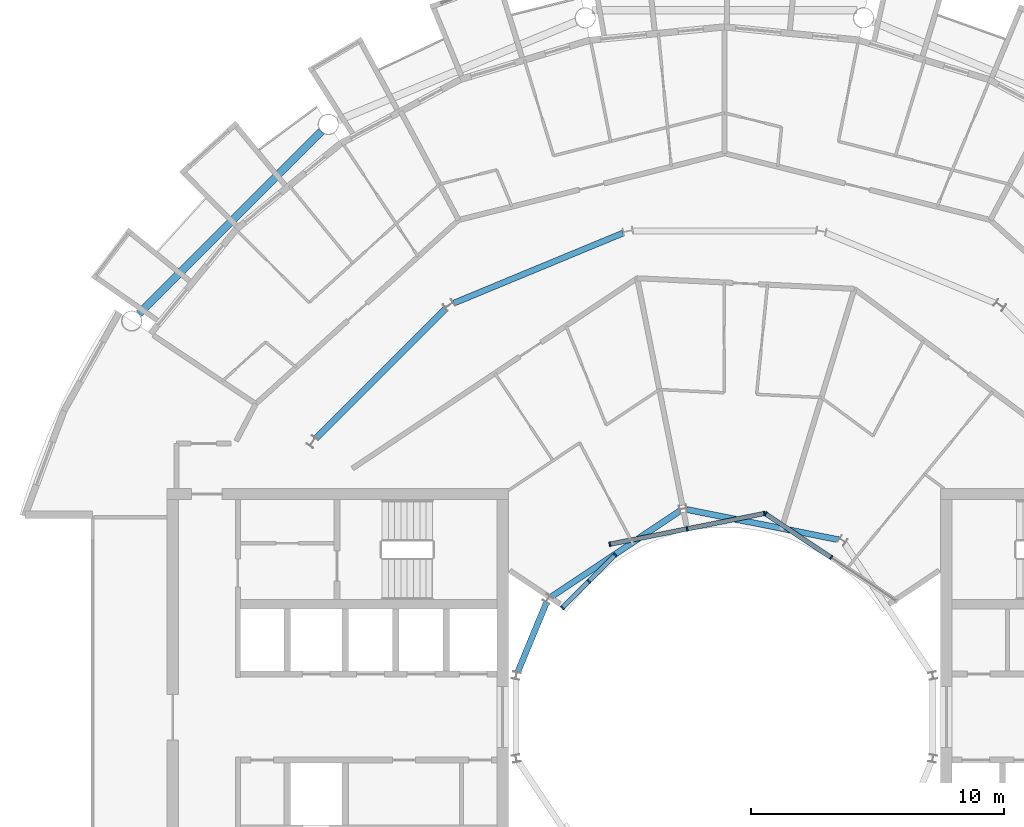
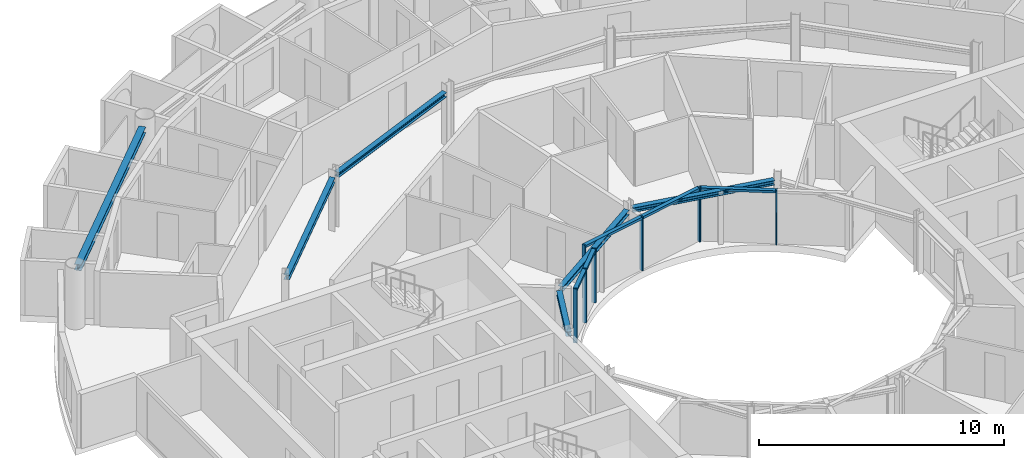
# One storey, part 9 of 29: 13 members, 6 beams, 3 elements without a shape of their own.
"""IFC4 building model written with IfcOpenShell, lengths in metres."""

from ifc_helpers import new_model, si_unit, direction, frame, origin, origin_2d, place, context, subcontext, project, spatial, rectangle, i_section, extrude, material, layer, layer_set, material_profile, profile_set, type_object, element, aggregate, save


model = new_model("IFC4")

# Units and contexts
model_context = context("Model", 3, precision=1e-05, world=origin(), true_north=direction((0.0, 1.0)))
body_context = subcontext(model_context, "Body", "Model", "MODEL_VIEW")
ifc_project = project(units=[si_unit("LENGTHUNIT", "METRE"), si_unit("AREAUNIT", "SQUARE_METRE"), si_unit("VOLUMEUNIT", "CUBIC_METRE"), si_unit("PLANEANGLEUNIT", "RADIAN"), si_unit("MASSUNIT", "GRAM", prefix="KILO")], contexts=[model_context])

# Site, building, storey
site_placement = place(None, origin())
site = spatial("IfcSite", under=ifc_project, at=site_placement, CompositionType="ELEMENT")
building_placement = place(site_placement, origin())
building = spatial("IfcBuilding", under=site, at=building_placement, Name="Maasbend Ring Residences", CompositionType="ELEMENT")
storey_placement = place(building_placement, frame((0.0, 0.0, 193.25)))
storey = spatial("IfcBuildingStorey", under=building, at=storey_placement, Name="L55", CompositionType="ELEMENT", Elevation=193.25)

# Curtain wall, members
ifc_material_1 = material(Name="Aluminium and clear glass", Category="aluminium")
ifc_layer = layer(ifc_material_1, 0.179931640625)
ifc_layer_set = layer_set([ifc_layer], Name="CW-W")
curtain_wall_type = type_object("IfcCurtainWallType", Name="CW-W", PredefinedType="NOTDEFINED", material=ifc_layer_set)
curtain_wall_1_placement = place(storey_placement, origin())
curtain_wall_1 = element("IfcCurtainWall", 1, at=curtain_wall_1_placement, inside=storey, type_object=curtain_wall_type, Name="Well curtain wall N1", PredefinedType="NOTDEFINED")
ifc_material_2 = material(Name="Aluminium 6063-T6", Category="aluminium")
ifc_material_profile_1 = material_profile(ifc_material_2, rectangle(XDim=0.179931640625, YDim=0.06005859375, at=origin_2d()), Name="AL 180x60")
ifc_profile_set_1 = profile_set([ifc_material_profile_1], Name="Aluminium 6063-T6")
member_type_1 = type_object("IfcMemberType", Name="CWM-W", PredefinedType="MULLION", material=ifc_profile_set_1)
member_1_placement = place(storey_placement, frame((4.216796875, 6.310791015625, 0.0), z_axis=(0.0, 0.0, 1.0), x_axis=(-0.55557023302, -0.831469612303, 0.0)))
member_1 = element("IfcMember", 2, at=member_1_placement, type_object=member_type_1, Name="Mullion well face", PredefinedType="MULLION", context=body_context, shape_type="SweptSolid", body=[
    extrude(rectangle(XDim=0.179931640625, YDim=0.06005859375, at=origin_2d()), origin(), (0.0, 0.0, 1.0), 2.699951171875),
])
member_2_placement = place(storey_placement, frame((1.627685546875, 8.040771484375, 0.0), z_axis=(0.0, 0.0, 1.0), x_axis=(-0.55557023302, -0.831469612303, 0.0)))
member_2 = element("IfcMember", 3, at=member_2_placement, type_object=member_type_1, Name="Mullion well face", PredefinedType="MULLION", context=body_context, shape_type="SweptSolid", body=[
    extrude(rectangle(XDim=0.179931640625, YDim=0.06005859375, at=origin_2d()), origin(), (0.0, 0.0, 1.0), 2.699951171875),
])

curtain_wall_2_placement = place(storey_placement, origin())
curtain_wall_2 = element("IfcCurtainWall", 4, at=curtain_wall_2_placement, inside=storey, type_object=curtain_wall_type, Name="Well curtain wall N2", PredefinedType="NOTDEFINED")
member_3_placement = place(storey_placement, frame((1.5732421875, 8.0517578125, 0.0), z_axis=(0.0, 0.0, 1.0), x_axis=(0.195090322016, -0.980785280403, 0.0)))
member_3 = element("IfcMember", 5, at=member_3_placement, type_object=member_type_1, Name="Mullion well face", PredefinedType="MULLION", context=body_context, shape_type="SweptSolid", body=[
    extrude(rectangle(XDim=0.179931640625, YDim=0.06005859375, at=origin_2d()), origin(), (0.0, 0.0, 1.0), 2.699951171875),
])
member_4_placement = place(storey_placement, frame((-1.480712890625, 7.444091796875, 0.0), z_axis=(0.0, 0.0, 1.0), x_axis=(0.195090322016, -0.980785280403, 0.0)))
member_4 = element("IfcMember", 6, at=member_4_placement, type_object=member_type_1, Name="Mullion well face", PredefinedType="MULLION", context=body_context, shape_type="SweptSolid", body=[
    extrude(rectangle(XDim=0.179931640625, YDim=0.06005859375, at=origin_2d()), origin(), (0.0, 0.0, 1.0), 2.699951171875),
])
member_5_placement = place(storey_placement, frame((-4.53466796875, 6.836669921875, 0.0), z_axis=(0.0, 0.0, 1.0), x_axis=(0.195090322016, -0.980785280403, 0.0)))
member_5 = element("IfcMember", 7, at=member_5_placement, type_object=member_type_1, Name="Mullion well face", PredefinedType="MULLION", context=body_context, shape_type="SweptSolid", body=[
    extrude(rectangle(XDim=0.179931640625, YDim=0.06005859375, at=origin_2d()), origin(), (0.0, 0.0, 1.0), 2.699951171875),
])

curtain_wall_3_placement = place(storey_placement, origin())
curtain_wall_3 = element("IfcCurtainWall", 8, at=curtain_wall_3_placement, inside=storey, type_object=curtain_wall_type, Name="Well curtain wall N3", PredefinedType="NOTDEFINED")
member_6_placement = place(storey_placement, frame((-4.320556640625, 6.413330078125, 0.0), z_axis=(0.0, 0.0, 1.0), x_axis=(0.707106781187, -0.707106781187, 0.0)))
member_6 = element("IfcMember", 9, at=member_6_placement, type_object=member_type_1, Name="Mullion well face", PredefinedType="MULLION", context=body_context, shape_type="SweptSolid", body=[
    extrude(rectangle(XDim=0.179931640625, YDim=0.06005859375, at=origin_2d()), origin(), (0.0, 0.0, 1.0), 2.699951171875),
])
member_7_placement = place(storey_placement, frame((-5.366943359375, 5.366943359375, 0.0), z_axis=(0.0, 0.0, 1.0), x_axis=(0.707106781187, -0.707106781187, 0.0)))
member_7 = element("IfcMember", 10, at=member_7_placement, type_object=member_type_1, Name="Mullion well face", PredefinedType="MULLION", context=body_context, shape_type="SweptSolid", body=[
    extrude(rectangle(XDim=0.179931640625, YDim=0.06005859375, at=origin_2d()), origin(), (0.0, 0.0, 1.0), 2.699951171875),
])
member_8_placement = place(storey_placement, frame((-6.413330078125, 4.320556640625, 0.0), z_axis=(0.0, 0.0, 1.0), x_axis=(0.707106781187, -0.707106781187, 0.0)))
member_8 = element("IfcMember", 11, at=member_8_placement, type_object=member_type_1, Name="Mullion well face", PredefinedType="MULLION", context=body_context, shape_type="SweptSolid", body=[
    extrude(rectangle(XDim=0.179931640625, YDim=0.06005859375, at=origin_2d()), origin(), (0.0, 0.0, 1.0), 2.699951171875),
])

# Member
ifc_material_3 = material(Name="Aluminium 6063-T6", Category="aluminium")
ifc_material_profile_2 = material_profile(ifc_material_3, rectangle(XDim=0.179931640625, YDim=0.1201171875, at=origin_2d()), Name="AL 180x120")
ifc_profile_set_2 = profile_set([ifc_material_profile_2], Name="Aluminium 6063-T6")
member_type_2 = type_object("IfcMemberType", Name="CWT-W", PredefinedType="USERDEFINED", material=ifc_profile_set_2)
member_9_placement = place(storey_placement, frame((4.19189453125, 6.32763671875, 2.639892578125), z_axis=(-0.831496422459, 0.555530106689, 0.0), x_axis=(-0.555530106689, -0.831496422459, 0.0)))
member_9 = element("IfcMember", 12, at=member_9_placement, type_object=member_type_2, Name="Transom well face", ObjectType="TRANSOM", PredefinedType="USERDEFINED", context=body_context, shape_type="SweptSolid", body=[
    extrude(rectangle(XDim=0.179931640625, YDim=0.1201171875, at=origin_2d()), origin(), (0.0, 0.0, 1.0), 3.053955078125),
])

aggregate(curtain_wall_1, [member_1, member_2, member_9])

member_10_placement = place(storey_placement, frame((1.5439453125, 8.0458984375, 2.639892578125), z_axis=(-0.980776956105, -0.195132166424, 0.0), x_axis=(0.195132166424, -0.980776956105, 0.0)))
member_10 = element("IfcMember", 13, at=member_10_placement, type_object=member_type_2, Name="Transom well face", ObjectType="TRANSOM", PredefinedType="USERDEFINED", context=body_context, shape_type="SweptSolid", body=[
    extrude(rectangle(XDim=0.179931640625, YDim=0.1201171875, at=origin_2d()), origin(), (0.0, 0.0, 1.0), 3.053955078125),
])

member_11_placement = place(storey_placement, frame((-1.51025390625, 7.438232421875, 2.639892578125), z_axis=(-0.980789210404, -0.19507056353, 0.0), x_axis=(0.19507056353, -0.980789210404, 0.0)))
member_11 = element("IfcMember", 14, at=member_11_placement, type_object=member_type_2, Name="Transom well face", ObjectType="TRANSOM", PredefinedType="USERDEFINED", context=body_context, shape_type="SweptSolid", body=[
    extrude(rectangle(XDim=0.179931640625, YDim=0.1201171875, at=origin_2d()), origin(), (0.0, 0.0, 1.0), 3.0537109375),
])

aggregate(curtain_wall_2, [member_3, member_4, member_5, member_10, member_11])

member_12_placement = place(storey_placement, frame((-4.341796875, 6.39208984375, 2.639892578125), z_axis=(-0.707106781187, -0.707106781187, 0.0), x_axis=(0.707106781187, -0.707106781187, 0.0)))
member_12 = element("IfcMember", 15, at=member_12_placement, type_object=member_type_2, Name="Transom well face", ObjectType="TRANSOM", PredefinedType="USERDEFINED", context=body_context, shape_type="SweptSolid", body=[
    extrude(rectangle(XDim=0.179931640625, YDim=0.1201171875, at=origin_2d()), origin(), (0.0, 0.0, 1.0), 1.419677734375),
])

member_13_placement = place(storey_placement, frame((-5.38818359375, 5.345703125, 2.639892578125), z_axis=(-0.707106781187, -0.707106781187, 0.0), x_axis=(0.707106781187, -0.707106781187, 0.0)))
member_13 = element("IfcMember", 16, at=member_13_placement, type_object=member_type_2, Name="Transom well face", ObjectType="TRANSOM", PredefinedType="USERDEFINED", context=body_context, shape_type="SweptSolid", body=[
    extrude(rectangle(XDim=0.179931640625, YDim=0.1201171875, at=origin_2d()), origin(), (0.0, 0.0, 1.0), 1.419677734375),
])

aggregate(curtain_wall_3, [member_6, member_7, member_8, member_12, member_13])

# Beams
ifc_material_4 = material(Name="Steel S355J2", Category="steel")
ifc_material_profile_3 = material_profile(ifc_material_4, i_section(OverallWidth=0.239990234375, OverallDepth=0.22998046875, WebThickness=0.007568359375, FlangeThickness=0.011962890625, FilletRadius=0.02099609375, at=origin_2d()), Name="HEA 240")
ifc_profile_set_3 = profile_set([ifc_material_profile_3], Name="Steel S355J2")
beam_type_1 = type_object("IfcBeamType", Name="Corridor ring beam HEA 240", PredefinedType="BEAM", material=ifc_profile_set_3)
beam_1_placement = place(storey_placement, frame((-4.01220703125, 19.1455078125, 2.5849609375), z_axis=(-0.923865162022, -0.382718123952, 0.0), x_axis=(0.382718123952, -0.923865162022, 0.0)))
element("IfcBeam", 17, at=beam_1_placement, inside=storey, type_object=beam_type_1, Name="Corridor ring beam", PredefinedType="BEAM", context=body_context, shape_type="SweptSolid", body=[
    extrude(i_section(OverallWidth=0.239990234375, OverallDepth=0.22998046875, WebThickness=0.007568359375, FlangeThickness=0.011962890625, FilletRadius=0.02099609375, at=origin_2d()), origin(), (0.0, 0.0, 1.0), 7.23974609375),
])
beam_2_placement = place(storey_placement, frame((-11.033447265625, 16.152587890625, 2.5849609375), z_axis=(-0.707106781187, -0.707106781187, 0.0), x_axis=(0.707106781187, -0.707106781187, 0.0)))
element("IfcBeam", 18, at=beam_2_placement, inside=storey, type_object=beam_type_1, Name="Corridor ring beam", PredefinedType="BEAM", context=body_context, shape_type="SweptSolid", body=[
    extrude(i_section(OverallWidth=0.239990234375, OverallDepth=0.22998046875, WebThickness=0.007568359375, FlangeThickness=0.011962890625, FilletRadius=0.02099609375, at=origin_2d()), origin(), (0.0, 0.0, 1.0), 7.239501953125),
])
ifc_material_5 = material(Name="Steel S355J2", Category="steel")
ifc_material_profile_4 = material_profile(ifc_material_5, i_section(OverallWidth=0.300048828125, OverallDepth=0.300048828125, WebThickness=0.010986328125, FlangeThickness=0.01904296875, FilletRadius=0.027099609375, at=origin_2d()), Name="HEB 300")
ifc_profile_set_4 = profile_set([ifc_material_profile_4], Name="Steel S355J2")
beam_type_2 = type_object("IfcBeamType", Name="Spandrel ring beam HEB 300", PredefinedType="SPANDREL", material=ifc_profile_set_4)
beam_3_placement = place(storey_placement, frame((-15.95458984375, 23.159912109375, 2.550048828125), z_axis=(-0.707106781187, -0.707106781187, 0.0), x_axis=(0.707106781187, -0.707106781187, 0.0)))
element("IfcBeam", 19, at=beam_3_placement, inside=storey, type_object=beam_type_2, Name="Spandrel ring beam", PredefinedType="SPANDREL", context=body_context, shape_type="SweptSolid", body=[
    extrude(i_section(OverallWidth=0.300048828125, OverallDepth=0.300048828125, WebThickness=0.010986328125, FlangeThickness=0.01904296875, FilletRadius=0.027099609375, at=origin_2d()), origin(), (0.0, 0.0, 1.0), 10.18994140625),
])
ifc_material_6 = material(Name="Steel S355J2", Category="steel")
ifc_material_profile_5 = material_profile(ifc_material_6, i_section(OverallWidth=0.239990234375, OverallDepth=0.22998046875, WebThickness=0.007568359375, FlangeThickness=0.011962890625, FilletRadius=0.02099609375, at=origin_2d()), Name="HEA 240")
ifc_profile_set_5 = profile_set([ifc_material_profile_5], Name="Steel S355J2")
beam_type_3 = type_object("IfcBeamType", Name="Well edge beam HEA 240", PredefinedType="BEAM", material=ifc_profile_set_5)
for number, where, z_axis, x_axis, name in (
    (20, (4.512939453125, 7.014892578125, 2.5849609375), (-0.980782836869, 0.195102606089, 0.0), (-0.195102606089, -0.980782836869, 0.0), "Well edge beam"),
    (21, (-1.769287109375, 8.1513671875, 2.5849609375), (-0.831460175376, -0.555584356119, 0.0), (0.555584356119, -0.831460175376, 0.0), "Well edge beam"),
):
    element("IfcBeam", number, at=place(storey_placement, frame(where, z_axis=z_axis, x_axis=x_axis)), inside=storey, type_object=beam_type_3, Name=name, PredefinedType="BEAM", context=body_context, shape_type="SweptSolid", body=[
        extrude(i_section(OverallWidth=0.239990234375, OverallDepth=0.22998046875, WebThickness=0.007568359375, FlangeThickness=0.011962890625, FilletRadius=0.02099609375, at=origin_2d()), origin(), (0.0, 0.0, 1.0), 6.115234375),
    ])
beam_4_placement = place(storey_placement, frame((-7.041015625, 4.5302734375, 2.5849609375), z_axis=(-0.382614534057, -0.923908068115, 0.0), x_axis=(0.923908068115, -0.382614534057, 0.0)))
element("IfcBeam", 22, at=beam_4_placement, inside=storey, type_object=beam_type_3, Name="Well edge beam", PredefinedType="BEAM", context=body_context, shape_type="SweptSolid", body=[
    extrude(i_section(OverallWidth=0.239990234375, OverallDepth=0.22998046875, WebThickness=0.007568359375, FlangeThickness=0.011962890625, FilletRadius=0.02099609375, at=origin_2d()), origin(), (0.0, 0.0, 1.0), 2.981689453125),
])

save(model, "model.ifc")
